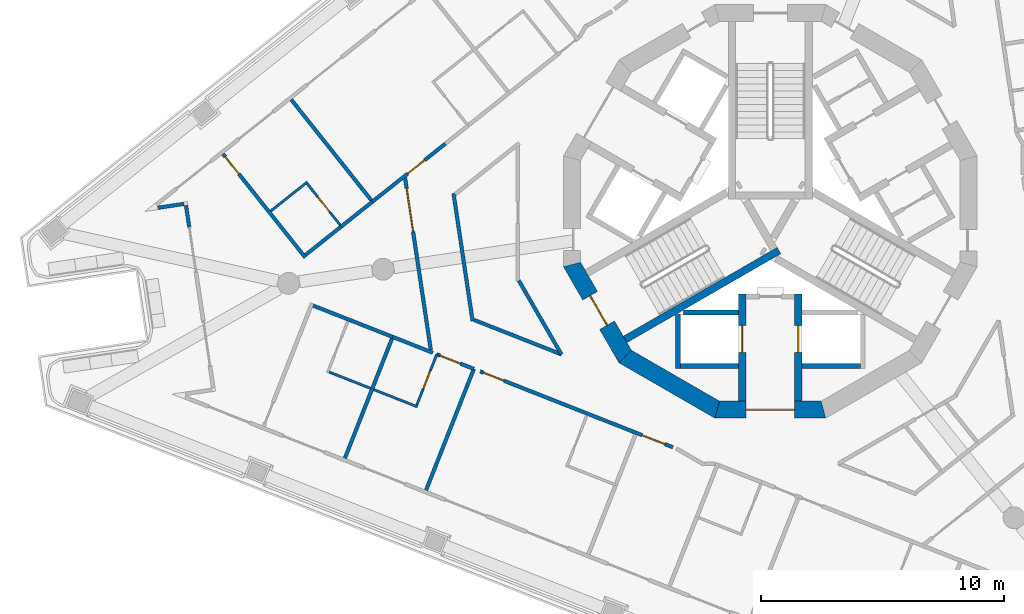
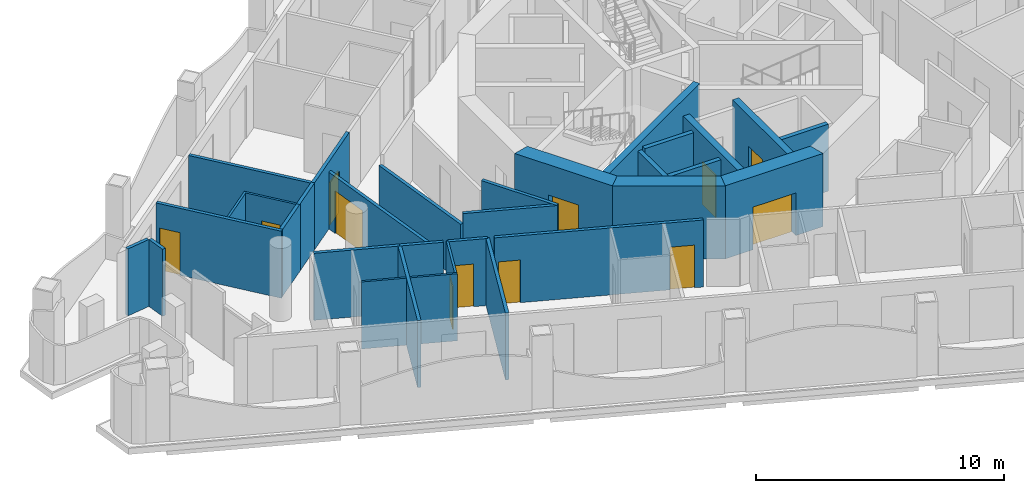
# One storey, part 3 of 17: 32 walls, 12 doors, 12 openings.
"""IFC4 building model written with IfcOpenShell, lengths in metres."""

from ifc_helpers import new_model, si_unit, direction, frame, frame_2d, origin, place, context, subcontext, project, spatial, polyline, rectangle, outline, extrude, material, layer, layer_set, type_object, element, fill, save


model = new_model("IFC4")

# Units and contexts
model_context = context("Model", 3, precision=1e-05, world=origin(), true_north=direction((0.0, 1.0)))
body_context = subcontext(model_context, "Body", "Model", "MODEL_VIEW")
ifc_project = project(units=[si_unit("LENGTHUNIT", "METRE"), si_unit("AREAUNIT", "SQUARE_METRE"), si_unit("VOLUMEUNIT", "CUBIC_METRE"), si_unit("PLANEANGLEUNIT", "RADIAN"), si_unit("MASSUNIT", "GRAM", prefix="KILO")], contexts=[model_context])

# Site, building, storey
site_placement = place(None, origin())
site = spatial("IfcSite", under=ifc_project, at=site_placement, CompositionType="ELEMENT")
building_placement = place(site_placement, origin())
building = spatial("IfcBuilding", under=site, at=building_placement, Name="Trine Commons Tower", CompositionType="ELEMENT")
storey_placement = place(building_placement, frame((0.0, 0.0, 212.39990234375)))
storey = spatial("IfcBuildingStorey", under=building, at=storey_placement, Name="L55", CompositionType="ELEMENT", Elevation=212.39990234375)

# Walls
ifc_material_1 = material(Name="Aluminium-framed insulated wall panel", Category="aluminium")
ifc_layer_1 = layer(ifc_material_1, 0.14990234375)
ifc_layer_set_1 = layer_set([ifc_layer_1], Name="Aluminium-framed insulated wall panel")
wall_type_1 = type_object("IfcWallType", Name="Glazed frame wall 150, EI 60", PredefinedType="SOLIDWALL", material=ifc_layer_set_1)
wall_1_placement = place(storey_placement, frame((56.115966796875, 61.86279296875, 0.0), z_axis=(0.0, 0.0, 1.0), x_axis=(-0.147946480694, 0.988995368468, 0.0)))
element("IfcWall", 1, at=wall_1_placement, inside=storey, type_object=wall_type_1, Name="Glazed frame wall P3.5", PredefinedType="SOLIDWALL", context=body_context, shape_type="SweptSolid", body=[
    extrude(outline(polyline([(0.889892578125, 0.074951171875), (0.0, 0.074951171875), (0.0, -0.074951171875), (0.889892578125, -0.074951171875), (0.889892578125, 0.074951171875)])), origin(), (0.0, 0.0, 1.0), 3.300048828125),
])
wall_2_placement = place(storey_placement, frame((56.0078125, 62.822265625, 0.0), z_axis=(0.0, 0.0, 1.0), x_axis=(-0.98902141065, -0.147772288596, 0.0)))
element("IfcWall", 2, at=wall_2_placement, inside=storey, type_object=wall_type_1, Name="Glazed frame wall R12", PredefinedType="SOLIDWALL", context=body_context, shape_type="SweptSolid", body=[
    extrude(outline(polyline([(0.110107421875, 0.074951171875), (0.110107421875, -0.074951171875), (1.19580078125, -0.074951171875), (1.19580078125, 0.074951171875), (0.110107421875, 0.074951171875)])), origin(), (0.0, 0.0, 1.0), 3.300048828125),
])

# Wall, opening, door
ifc_material_2 = material(Name="Concrete C60/75", Category="concrete")
ifc_layer_2 = layer(ifc_material_2, 0.300048828125)
ifc_layer_set_2 = layer_set([ifc_layer_2], Name="Concrete C60/75")
wall_type_2 = type_object("IfcWallType", Name="RC shear wall 300 mm, C60/75", PredefinedType="SHEAR", material=ifc_layer_set_2)
wall_3_placement = place(storey_placement, frame((78.85009765625, 59.10009765625, 0.0), z_axis=(0.0, 0.0, 1.0), x_axis=(0.0, -1.0, 0.0)))
wall_3 = element("IfcWall", 3, at=wall_3_placement, inside=storey, type_object=wall_type_2, Name="Core cross wall SWC-03 L55", PredefinedType="SHEAR", context=body_context, shape_type="SweptSolid", body=[
    extrude(rectangle(XDim=4.400146484375, YDim=0.300048828125, at=frame_2d((2.2001953125, 0.0))), origin(), (0.0, 0.0, 1.0), 3.60009765625),
])
opening_1_placement = place(wall_3_placement, frame((1.300048828125, 0.0, 0.0)))
opening_1 = element("IfcOpeningElement", 4, at=opening_1_placement, cuts=wall_3, Name="Opening LD10", PredefinedType="OPENING", context=body_context, shape_type="SweptSolid", body=[
    extrude(rectangle(XDim=1.10009765625, YDim=2.10009765625, at=frame_2d((0.550048828125, 1.050048828125))), frame((0.0, 0.159912109375, 0.0), z_axis=(0.0, -1.0, 0.0), x_axis=(1.0, 0.0, 0.0)), (0.0, 0.0, 1.0), 0.320068359375),
])
ifc_material_3 = material(Name="Stainless steel sliding door leaves", Category="steel")
door_type_1 = type_object("IfcDoorType", Name="Lift landing door, centre-opening sliding 1100 x 2100, FD90", OperationType="DOUBLE_DOOR_SLIDING", PredefinedType="DOOR", material=ifc_material_3)
door_1_placement = place(opening_1_placement, origin())
door_1 = element("IfcDoor", 5, at=door_1_placement, inside=storey, type_object=door_type_1, Name="Lift landing door FF2 L55", OperationType="DOUBLE_DOOR_SLIDING", OverallHeight=2.10009765625, OverallWidth=1.10009765625, PredefinedType="DOOR", context=body_context, shape_type="SweptSolid", body=[
    extrude(rectangle(XDim=1.10009765625, YDim=2.10009765625, at=frame_2d((0.550048828125, 1.050048828125))), frame((0.0, 0.02490234375, 0.0), z_axis=(0.0, -1.0, 0.0), x_axis=(1.0, 0.0, 0.0)), (0.0, 0.0, 1.0), 0.050048828125),
])
fill(opening_1, door_1)

wall_4_placement = place(storey_placement, frame((81.14990234375, 59.10009765625, 0.0), z_axis=(0.0, 0.0, 1.0), x_axis=(0.0, -1.0, 0.0)))
wall_4 = element("IfcWall", 6, at=wall_4_placement, inside=storey, type_object=wall_type_2, Name="Core cross wall SWC-04 L55", PredefinedType="SHEAR", context=body_context, shape_type="SweptSolid", body=[
    extrude(rectangle(XDim=4.400146484375, YDim=0.300048828125, at=frame_2d((2.2001953125, 0.0))), origin(), (0.0, 0.0, 1.0), 3.60009765625),
])
opening_2_placement = place(wall_4_placement, frame((1.300048828125, 0.0, 0.0)))
opening_2 = element("IfcOpeningElement", 7, at=opening_2_placement, cuts=wall_4, Name="Opening LD9", PredefinedType="OPENING", context=body_context, shape_type="SweptSolid", body=[
    extrude(rectangle(XDim=1.10009765625, YDim=2.10009765625, at=frame_2d((0.550048828125, 1.050048828125))), frame((0.0, 0.159912109375, 0.0), z_axis=(0.0, -1.0, 0.0), x_axis=(1.0, 0.0, 0.0)), (0.0, 0.0, 1.0), 0.320068359375),
])
door_2_placement = place(opening_2_placement, origin())
door_2 = element("IfcDoor", 8, at=door_2_placement, inside=storey, type_object=door_type_1, Name="Lift landing door FF1 L55", OperationType="DOUBLE_DOOR_SLIDING", OverallHeight=2.10009765625, OverallWidth=1.10009765625, PredefinedType="DOOR", context=body_context, shape_type="SweptSolid", body=[
    extrude(rectangle(XDim=1.10009765625, YDim=2.10009765625, at=frame_2d((0.550048828125, 1.050048828125))), frame((0.0, 0.02490234375, 0.0), z_axis=(0.0, -1.0, 0.0), x_axis=(1.0, 0.0, 0.0)), (0.0, 0.0, 1.0), 0.050048828125),
])
fill(opening_2, door_2)

# Wall
wall_5_placement = place(storey_placement, frame((80.35400390625, 60.885986328125, 0.0), z_axis=(0.0, 0.0, 1.0), x_axis=(-0.866032430508, -0.49998782916, 0.0)))
element("IfcWall", 9, at=wall_5_placement, inside=storey, type_object=wall_type_2, Name="Core cross wall SWC-14 L55", PredefinedType="SHEAR", context=body_context, shape_type="SweptSolid", body=[
    extrude(rectangle(XDim=7.300048828125, YDim=0.300048828125, at=frame_2d((3.64990234375, 0.0))), origin(), (0.0, 0.0, 1.0), 3.60009765625),
])

# Wall, opening, door
ifc_layer_3 = layer(ifc_material_2, 0.699951171875)
ifc_layer_set_3 = layer_set([ifc_layer_3], Name="Concrete C60/75")
wall_type_3 = type_object("IfcWallType", Name="RC shear wall 700 mm, C60/75", PredefinedType="SHEAR", material=ifc_layer_set_3)
wall_6_placement = place(storey_placement, frame((71.802978515625, 60.3974609375, 0.0), z_axis=(0.0, 0.0, 1.0), x_axis=(0.499983800959, -0.866034756103, 0.0)))
wall_6 = element("IfcWall", 10, at=wall_6_placement, inside=storey, type_object=wall_type_3, Name="Core wall CWF-08 L55", PredefinedType="SHEAR", context=body_context, shape_type="SweptSolid", body=[
    extrude(outline(polyline([(0.0, -0.35009765625), (4.55517578125, -0.35009765625), (4.36767578125, 0.35009765625), (0.1875, 0.35009765625), (0.0, -0.35009765625)])), origin(), (0.0, 0.0, 1.0), 3.60009765625),
])
opening_3_placement = place(wall_6_placement, frame((1.577392578125, 0.0, 0.0)))
opening_3 = element("IfcOpeningElement", 11, at=opening_3_placement, cuts=wall_6, Name="Opening K15.02", PredefinedType="OPENING", context=body_context, shape_type="SweptSolid", body=[
    extrude(rectangle(XDim=1.39990234375, YDim=2.10009765625, at=frame_2d((0.699951171875, 1.050048828125))), frame((0.0, 0.35986328125, 0.0), z_axis=(0.0, -1.0, 0.0), x_axis=(1.0, 0.0, 0.0)), (0.0, 0.0, 1.0), 0.719970703125),
])
ifc_material_4 = material(Name="Steel door leaves, fire-rated", Category="steel")
door_type_2 = type_object("IfcDoorType", Name="Stair door, double leaf 1400 x 2100, FD90", OperationType="DOUBLE_DOOR_SINGLE_SWING", PredefinedType="DOOR", material=ifc_material_4)
door_3_placement = place(opening_3_placement, origin())
door_3 = element("IfcDoor", 12, at=door_3_placement, inside=storey, type_object=door_type_2, Name="Stair door to Exit stair ST2C L55", OperationType="DOUBLE_DOOR_SINGLE_SWING", OverallHeight=2.10009765625, OverallWidth=1.39990234375, PredefinedType="DOOR", context=body_context, shape_type="SweptSolid", body=[
    extrude(rectangle(XDim=1.39990234375, YDim=2.10009765625, at=frame_2d((0.699951171875, 1.050048828125))), frame((0.0, 0.02490234375, 0.0), z_axis=(0.0, -1.0, 0.0), x_axis=(1.0, 0.0, 0.0)), (0.0, 0.0, 1.0), 0.050048828125),
])
fill(opening_3, door_3)

# Wall
wall_7_placement = place(storey_placement, frame((73.952392578125, 56.58056640625, 0.0), z_axis=(0.0, 0.0, 1.0), x_axis=(0.866034756103, -0.499983800959, 0.0)))
element("IfcWall", 13, at=wall_7_placement, inside=storey, type_object=wall_type_3, Name="Core wall CWF-09 L55", PredefinedType="SHEAR", context=body_context, shape_type="SweptSolid", body=[
    extrude(outline(polyline([(0.0, -0.35009765625), (4.55517578125, -0.35009765625), (4.36767578125, 0.35009765625), (0.1875, 0.35009765625), (0.0, -0.35009765625)])), origin(), (0.0, 0.0, 1.0), 3.60009765625),
])

# Wall, opening, door
wall_8_placement = place(storey_placement, frame((77.722412109375, 54.349853515625, 0.0), z_axis=(0.0, 0.0, 1.0), x_axis=(1.0, 0.0, 0.0)))
wall_8 = element("IfcWall", 14, at=wall_8_placement, inside=storey, type_object=wall_type_3, Name="Core wall CWF-10 L55", PredefinedType="SHEAR", context=body_context, shape_type="SweptSolid", body=[
    extrude(outline(polyline([(0.0, -0.35009765625), (4.55517578125, -0.35009765625), (4.36767578125, 0.35009765625), (0.1875, 0.35009765625), (0.0, -0.35009765625)])), origin(), (0.0, 0.0, 1.0), 3.60009765625),
])
opening_4_placement = place(wall_8_placement, frame((1.277587890625, 0.0, 0.0)))
opening_4 = element("IfcOpeningElement", 15, at=opening_4_placement, cuts=wall_8, Name="Opening K15.08", PredefinedType="OPENING", context=body_context, shape_type="SweptSolid", body=[
    extrude(rectangle(XDim=2.0, YDim=2.10009765625, at=frame_2d((1.0, 1.050048828125))), frame((0.0, 0.35986328125, 0.0), z_axis=(0.0, -1.0, 0.0), x_axis=(1.0, 0.0, 0.0)), (0.0, 0.0, 1.0), 0.719970703125),
])
door_type_3 = type_object("IfcDoorType", Name="Lobby door, double leaf 2000 x 2100, FD60", OperationType="DOUBLE_DOOR_SINGLE_SWING", PredefinedType="DOOR", material=ifc_material_4)
door_4_placement = place(opening_4_placement, origin())
door_4 = element("IfcDoor", 16, at=door_4_placement, inside=storey, type_object=door_type_3, Name="Lobby door, Service and firefighting lobby L55", OperationType="DOUBLE_DOOR_SINGLE_SWING", OverallHeight=2.10009765625, OverallWidth=2.0, PredefinedType="DOOR", context=body_context, shape_type="SweptSolid", body=[
    extrude(rectangle(XDim=2.0, YDim=2.10009765625, at=frame_2d((1.0, 1.050048828125))), frame((0.0, 0.02490234375, 0.0), z_axis=(0.0, -1.0, 0.0), x_axis=(1.0, 0.0, 0.0)), (0.0, 0.0, 1.0), 0.050048828125),
])
fill(opening_4, door_4)

# Walls
ifc_material_5 = material(Name="Fire-rated gypsum shaft wall system")
ifc_layer_4 = layer(ifc_material_5, 0.199951171875)
ifc_layer_set_4 = layer_set([ifc_layer_4], Name="Fire-rated gypsum shaft wall system")
wall_type_4 = type_object("IfcWallType", Name="Shaft wall 200 mm, EI 120", PredefinedType="PARTITIONING", material=ifc_layer_set_4)
wall_9_placement = place(storey_placement, frame((76.199951171875, 58.257080078125, 0.0), z_axis=(0.0, 0.0, 1.0), x_axis=(0.0, -1.0, 0.0)))
element("IfcWall", 17, at=wall_9_placement, inside=storey, type_object=wall_type_4, Name="Shaft wall L55", PredefinedType="PARTITIONING", context=body_context, shape_type="SweptSolid", body=[
    extrude(rectangle(XDim=2.20703125, YDim=0.199951171875, at=frame_2d((1.103515625, 0.0))), origin(), (0.0, 0.0, 1.0), 3.300048828125),
])
wall_10_placement = place(storey_placement, frame((78.699951171875, 56.14990234375, 0.0), z_axis=(0.0, 0.0, 1.0), x_axis=(-1.0, 0.0, 0.0)))
element("IfcWall", 18, at=wall_10_placement, inside=storey, type_object=wall_type_4, Name="Shaft wall L55", PredefinedType="PARTITIONING", context=body_context, shape_type="SweptSolid", body=[
    extrude(rectangle(XDim=2.39990234375, YDim=0.199951171875, at=frame_2d((1.199951171875, 0.0))), origin(), (0.0, 0.0, 1.0), 3.300048828125),
])
wall_11_placement = place(storey_placement, frame((78.699951171875, 58.35009765625, 0.0), z_axis=(0.0, 0.0, 1.0), x_axis=(-1.0, 0.0, 0.0)))
element("IfcWall", 19, at=wall_11_placement, inside=storey, type_object=wall_type_4, Name="Shaft wall L55", PredefinedType="PARTITIONING", context=body_context, shape_type="SweptSolid", body=[
    extrude(rectangle(XDim=2.264892578125, YDim=0.199951171875, at=frame_2d((1.13232421875, 0.0))), origin(), (0.0, 0.0, 1.0), 3.300048828125),
])
wall_12_placement = place(storey_placement, frame((81.300048828125, 56.14990234375, 0.0), z_axis=(0.0, 0.0, 1.0), x_axis=(1.0, 0.0, 0.0)))
element("IfcWall", 20, at=wall_12_placement, inside=storey, type_object=wall_type_4, Name="Shaft wall L55", PredefinedType="PARTITIONING", context=body_context, shape_type="SweptSolid", body=[
    extrude(rectangle(XDim=2.39990234375, YDim=0.199951171875, at=frame_2d((1.199951171875, 0.0))), origin(), (0.0, 0.0, 1.0), 3.300048828125),
])

# Wall, opening, door
ifc_material_6 = material(Name="Gypsum plasterboard on steel stud", Category="steel")
ifc_layer_5 = layer(ifc_material_6, 0.14990234375)
ifc_layer_set_5 = layer_set([ifc_layer_5], Name="Gypsum plasterboard on steel stud")
wall_type_5 = type_object("IfcWallType", Name="Unit and corridor wall 150 mm, EI 60", PredefinedType="PARTITIONING", material=ifc_layer_set_5)
wall_13_placement = place(storey_placement, frame((57.50390625, 64.858642578125, 0.0), z_axis=(0.0, 0.0, 1.0), x_axis=(0.622567332104, -0.782566238089, 0.0)))
wall_13 = element("IfcWall", 21, at=wall_13_placement, inside=storey, type_object=wall_type_5, Name="Partition 001", PredefinedType="PARTITIONING", context=body_context, shape_type="SweptSolid", body=[
    extrude(rectangle(XDim=5.435302734375, YDim=0.14990234375, at=frame_2d((2.7177734375, 0.0))), origin(), (0.0, 0.0, 1.0), 3.300048828125),
])
opening_5_placement = place(wall_13_placement, frame((0.14990234375, 0.0, 0.0)))
opening_5 = element("IfcOpeningElement", 22, at=opening_5_placement, cuts=wall_13, Name="Opening D-6B05", PredefinedType="OPENING", context=body_context, shape_type="SweptSolid", body=[
    extrude(rectangle(XDim=0.89990234375, YDim=2.10009765625, at=frame_2d((0.449951171875, 1.050048828125))), frame((0.0, 0.0849609375, 0.0), z_axis=(0.0, -1.0, 0.0), x_axis=(1.0, 0.0, 0.0)), (0.0, 0.0, 1.0), 0.169921875),
])
ifc_material_7 = material(Name="Timber fire door set", Category="wood")
door_type_4 = type_object("IfcDoorType", Name="Bedroom door 900 x 2100, FD30S", OperationType="NOTDEFINED", PredefinedType="DOOR", material=ifc_material_7)
door_5_placement = place(opening_5_placement, origin())
door_5 = element("IfcDoor", 23, at=door_5_placement, inside=storey, type_object=door_type_4, Name="Door D-6B05", OperationType="SINGLE_SWING_LEFT", OverallHeight=2.10009765625, OverallWidth=0.89990234375, PredefinedType="DOOR", context=body_context, shape_type="SweptSolid", body=[
    extrude(rectangle(XDim=0.89990234375, YDim=2.10009765625, at=frame_2d((0.449951171875, 1.050048828125))), frame((0.0, 0.02490234375, 0.0), z_axis=(0.0, -1.0, 0.0), x_axis=(1.0, 0.0, 0.0)), (0.0, 0.0, 1.0), 0.050048828125),
])
fill(opening_5, door_5)

# Walls
wall_14_placement = place(storey_placement, frame((60.309814453125, 67.091796875, 0.0), z_axis=(0.0, 0.0, 1.0), x_axis=(0.622585933561, -0.782551439416, 0.0)))
element("IfcWall", 24, at=wall_14_placement, inside=storey, type_object=wall_type_5, Name="Partition 004", PredefinedType="PARTITIONING", context=body_context, shape_type="SweptSolid", body=[
    extrude(rectangle(XDim=5.28515625, YDim=0.14990234375, at=frame_2d((2.642578125, 0.0))), origin(), (0.0, 0.0, 1.0), 3.300048828125),
])
wall_15_placement = place(storey_placement, frame((60.899658203125, 60.710693359375, 0.0), z_axis=(0.0, 0.0, 1.0), x_axis=(0.782680939845, 0.622423124894, 0.0)))
element("IfcWall", 25, at=wall_15_placement, inside=storey, type_object=wall_type_5, Name="Partition 005", PredefinedType="PARTITIONING", context=body_context, shape_type="SweptSolid", body=[
    extrude(rectangle(XDim=1.9287109375, YDim=0.14990234375, at=frame_2d((0.96435546875, 0.0))), origin(), (0.0, 0.0, 1.0), 3.300048828125),
])
wall_16_placement = place(storey_placement, frame((61.210693359375, 58.62646484375, 0.0), z_axis=(0.0, 0.0, 1.0), x_axis=(0.930481659578, -0.36633847899, 0.0)))
element("IfcWall", 26, at=wall_16_placement, inside=storey, type_object=wall_type_5, Name="Partition 007", PredefinedType="PARTITIONING", context=body_context, shape_type="SweptSolid", body=[
    extrude(rectangle(XDim=3.511474609375, YDim=0.14990234375, at=frame_2d((1.755859375, 0.0))), origin(), (0.0, 0.0, 1.0), 3.300048828125),
])
wall_17_placement = place(storey_placement, frame((62.364013671875, 61.8759765625, 0.0), z_axis=(0.0, 0.0, 1.0), x_axis=(0.782464195165, 0.622695578341, 0.0)))
element("IfcWall", 27, at=wall_17_placement, inside=storey, type_object=wall_type_5, Name="Partition 010", PredefinedType="PARTITIONING", context=body_context, shape_type="SweptSolid", body=[
    extrude(rectangle(XDim=1.6396484375, YDim=0.14990234375, at=frame_2d((0.81982421875, 0.0))), origin(), (0.0, 0.0, 1.0), 3.300048828125),
])
wall_18_placement = place(storey_placement, frame((62.513671875, 52.352294921875, 0.0), z_axis=(0.0, 0.0, 1.0), x_axis=(0.366423948711, 0.930448004894, 0.0)))
element("IfcWall", 28, at=wall_18_placement, inside=storey, type_object=wall_type_5, Name="Partition 011", PredefinedType="PARTITIONING", context=body_context, shape_type="SweptSolid", body=[
    extrude(rectangle(XDim=5.28564453125, YDim=0.14990234375, at=frame_2d((2.642822265625, 0.0))), origin(), (0.0, 0.0, 1.0), 3.300048828125),
])

# Wall, opening, door
wall_19_placement = place(storey_placement, frame((63.64697265625, 62.89697265625, 0.0), z_axis=(0.0, 0.0, 1.0), x_axis=(0.78262647409, 0.622491608018, 0.0)))
wall_19 = element("IfcWall", 29, at=wall_19_placement, inside=storey, type_object=wall_type_5, Name="Partition 013", PredefinedType="PARTITIONING", context=body_context, shape_type="SweptSolid", body=[
    extrude(rectangle(XDim=3.828369140625, YDim=0.14990234375, at=frame_2d((1.9140625, 0.0))), origin(), (0.0, 0.0, 1.0), 3.300048828125),
])
opening_6_placement = place(wall_19_placement, frame((1.847900390625, 0.0, 0.0)))
opening_6 = element("IfcOpeningElement", 30, at=opening_6_placement, cuts=wall_19, Name="Opening D-6B06", PredefinedType="OPENING", context=body_context, shape_type="SweptSolid", body=[
    extrude(rectangle(XDim=0.89990234375, YDim=2.10009765625, at=frame_2d((0.449951171875, 1.050048828125))), frame((0.0, 0.0849609375, 0.0), z_axis=(0.0, -1.0, 0.0), x_axis=(1.0, 0.0, 0.0)), (0.0, 0.0, 1.0), 0.169921875),
])
door_6_placement = place(opening_6_placement, origin())
door_6 = element("IfcDoor", 31, at=door_6_placement, inside=storey, type_object=door_type_4, Name="Door D-6B06", OperationType="SINGLE_SWING_RIGHT", OverallHeight=2.10009765625, OverallWidth=0.89990234375, PredefinedType="DOOR", context=body_context, shape_type="SweptSolid", body=[
    extrude(rectangle(XDim=0.89990234375, YDim=2.10009765625, at=frame_2d((0.449951171875, 1.050048828125))), frame((0.0, 0.02490234375, 0.0), z_axis=(0.0, -1.0, 0.0), x_axis=(1.0, 0.0, 0.0)), (0.0, 0.0, 1.0), 0.050048828125),
])
fill(opening_6, door_6)

# Wall
wall_20_placement = place(storey_placement, frame((64.47802734375, 57.340087890625, 0.0), z_axis=(0.0, 0.0, 1.0), x_axis=(0.930260356215, -0.366900081295, 0.0)))
element("IfcWall", 32, at=wall_20_placement, inside=storey, type_object=wall_type_5, Name="Partition 014", PredefinedType="PARTITIONING", context=body_context, shape_type="SweptSolid", body=[
    extrude(rectangle(XDim=1.7734375, YDim=0.14990234375, at=frame_2d((0.88671875, 0.0))), origin(), (0.0, 0.0, 1.0), 3.300048828125),
])

# Wall, opening, door
wall_21_placement = place(storey_placement, frame((64.987060546875, 63.8798828125, 0.0), z_axis=(0.0, 0.0, 1.0), x_axis=(0.147865724858, -0.98900744558, 0.0)))
wall_21 = element("IfcWall", 33, at=wall_21_placement, inside=storey, type_object=wall_type_5, Name="Partition 015", PredefinedType="PARTITIONING", context=body_context, shape_type="SweptSolid", body=[
    extrude(rectangle(XDim=7.16748046875, YDim=0.14990234375, at=frame_2d((3.583740234375, 0.0))), origin(), (0.0, 0.0, 1.0), 2.800048828125),
])
opening_7_placement = place(wall_21_placement, frame((0.44677734375, 0.0, 0.0)))
opening_7 = element("IfcOpeningElement", 34, at=opening_7_placement, cuts=wall_21, Name="Opening D-6B03", PredefinedType="OPENING", context=body_context, shape_type="SweptSolid", body=[
    extrude(rectangle(XDim=1.800048828125, YDim=2.10009765625, at=frame_2d((0.89990234375, 1.050048828125))), frame((0.0, 0.0849609375, 0.0), z_axis=(0.0, -1.0, 0.0), x_axis=(1.0, 0.0, 0.0)), (0.0, 0.0, 1.0), 0.169921875),
])
door_type_5 = type_object("IfcDoorType", Name="Cluster entrance door 1800 x 2100, double leaf, FD30S", OperationType="DOUBLE_DOOR_DOUBLE_SWING", PredefinedType="DOOR", material=ifc_material_7)
door_7_placement = place(opening_7_placement, frame((1.800048828125, 0.0, 0.0), z_axis=(0.0, 0.0, 1.0), x_axis=(-1.0, 0.0, 0.0)))
door_7 = element("IfcDoor", 35, at=door_7_placement, inside=storey, type_object=door_type_5, Name="Door D-6B03", OperationType="DOUBLE_DOOR_DOUBLE_SWING", OverallHeight=2.10009765625, OverallWidth=1.800048828125, PredefinedType="DOOR", context=body_context, shape_type="SweptSolid", body=[
    extrude(rectangle(XDim=1.800048828125, YDim=2.10009765625, at=frame_2d((0.89990234375, 1.050048828125))), frame((0.0, 0.02490234375, 0.0), z_axis=(0.0, -1.0, 0.0), x_axis=(1.0, 0.0, 0.0)), (0.0, 0.0, 1.0), 0.050048828125),
])
fill(opening_7, door_7)

# Wall
wall_22_placement = place(storey_placement, frame((65.849609375, 51.0380859375, 0.0), z_axis=(0.0, 0.0, 1.0), x_axis=(0.366500620458, 0.930417806796, 0.0)))
element("IfcWall", 36, at=wall_22_placement, inside=storey, type_object=wall_type_5, Name="Partition 018", PredefinedType="PARTITIONING", context=body_context, shape_type="SweptSolid", body=[
    extrude(rectangle(XDim=5.35986328125, YDim=0.14990234375, at=frame_2d((2.679931640625, 0.0))), origin(), (0.0, 0.0, 1.0), 3.300048828125),
])

# Wall, opening, door
wall_23_placement = place(storey_placement, frame((66.2880859375, 56.6259765625, 0.0), z_axis=(0.0, 0.0, 1.0), x_axis=(0.930551023018, -0.366162250321, 0.0)))
wall_23 = element("IfcWall", 37, at=wall_23_placement, inside=storey, type_object=wall_type_5, Name="Partition 022", PredefinedType="PARTITIONING", context=body_context, shape_type="SweptSolid", body=[
    extrude(rectangle(XDim=1.644287109375, YDim=0.14990234375, at=frame_2d((0.822265625, 0.0))), origin(), (0.0, 0.0, 1.0), 3.300048828125),
])
opening_8_placement = place(wall_23_placement, frame((0.154052734375, 0.0, 0.0)))
opening_8 = element("IfcOpeningElement", 38, at=opening_8_placement, cuts=wall_23, Name="Opening D-6B26", PredefinedType="OPENING", context=body_context, shape_type="SweptSolid", body=[
    extrude(rectangle(XDim=0.89990234375, YDim=2.10009765625, at=frame_2d((0.449951171875, 1.050048828125))), frame((0.0, 0.0849609375, 0.0), z_axis=(0.0, -1.0, 0.0), x_axis=(1.0, 0.0, 0.0)), (0.0, 0.0, 1.0), 0.169921875),
])
door_8_placement = place(opening_8_placement, frame((0.89990234375, 0.0, 0.0), z_axis=(0.0, 0.0, 1.0), x_axis=(-1.0, 0.0, 0.0)))
door_8 = element("IfcDoor", 39, at=door_8_placement, inside=storey, type_object=door_type_4, Name="Door D-6B26", OperationType="SINGLE_SWING_RIGHT", OverallHeight=2.10009765625, OverallWidth=0.89990234375, PredefinedType="DOOR", context=body_context, shape_type="SweptSolid", body=[
    extrude(rectangle(XDim=0.89990234375, YDim=2.10009765625, at=frame_2d((0.449951171875, 1.050048828125))), frame((0.0, 0.02490234375, 0.0), z_axis=(0.0, -1.0, 0.0), x_axis=(1.0, 0.0, 0.0)), (0.0, 0.0, 1.0), 0.050048828125),
])
fill(opening_8, door_8)

# Walls
wall_24_placement = place(storey_placement, frame((66.97998046875, 63.234130859375, 0.0), z_axis=(0.0, 0.0, 1.0), x_axis=(0.14773017043, -0.989027702719, 0.0)))
element("IfcWall", 40, at=wall_24_placement, inside=storey, type_object=wall_type_5, Name="Partition 024", PredefinedType="PARTITIONING", context=body_context, shape_type="SweptSolid", body=[
    extrude(rectangle(XDim=5.301513671875, YDim=0.14990234375, at=frame_2d((2.65087890625, 0.0))), origin(), (0.0, 0.0, 1.0), 2.800048828125),
])
wall_25_placement = place(storey_placement, frame((67.82177734375, 58.03759765625, 0.0), z_axis=(0.0, 0.0, 1.0), x_axis=(0.930426693307, -0.366478059892, 0.0)))
element("IfcWall", 41, at=wall_25_placement, inside=storey, type_object=wall_type_5, Name="Partition 027", PredefinedType="PARTITIONING", context=body_context, shape_type="SweptSolid", body=[
    extrude(rectangle(XDim=3.85986328125, YDim=0.14990234375, at=frame_2d((1.929931640625, 0.0))), origin(), (0.0, 0.0, 1.0), 3.300048828125),
])

# Wall, openings, doors
wall_26_placement = place(storey_placement, frame((68.072021484375, 55.924072265625, 0.0), z_axis=(0.0, 0.0, 1.0), x_axis=(0.930389729542, -0.366571890852, 0.0)))
wall_26 = element("IfcWall", 42, at=wall_26_placement, inside=storey, type_object=wall_type_5, Name="Partition 029", PredefinedType="PARTITIONING", context=body_context, shape_type="SweptSolid", body=[
    extrude(rectangle(XDim=8.516845703125, YDim=0.14990234375, at=frame_2d((4.25830078125, 0.0))), origin(), (0.0, 0.0, 1.0), 3.300048828125),
])
opening_9_placement = place(wall_26_placement, frame((7.162109375, 0.0, 0.0)))
opening_9 = element("IfcOpeningElement", 43, at=opening_9_placement, cuts=wall_26, Name="Opening D-6B24", PredefinedType="OPENING", context=body_context, shape_type="SweptSolid", body=[
    extrude(rectangle(XDim=1.0, YDim=2.10009765625, at=frame_2d((0.5, 1.050048828125))), frame((0.0, 0.0849609375, 0.0), z_axis=(0.0, -1.0, 0.0), x_axis=(1.0, 0.0, 0.0)), (0.0, 0.0, 1.0), 0.169921875),
])
opening_10_placement = place(wall_26_placement, frame((0.14990234375, 0.0, 0.0)))
opening_10 = element("IfcOpeningElement", 44, at=opening_10_placement, cuts=wall_26, Name="Opening D-6B25", PredefinedType="OPENING", context=body_context, shape_type="SweptSolid", body=[
    extrude(rectangle(XDim=0.89990234375, YDim=2.10009765625, at=frame_2d((0.449951171875, 1.050048828125))), frame((0.0, 0.0849609375, 0.0), z_axis=(0.0, -1.0, 0.0), x_axis=(1.0, 0.0, 0.0)), (0.0, 0.0, 1.0), 0.169921875),
])
door_9_placement = place(opening_10_placement, frame((0.89990234375, 0.0, 0.0), z_axis=(0.0, 0.0, 1.0), x_axis=(-1.0, 0.0, 0.0)))
door_9 = element("IfcDoor", 45, at=door_9_placement, inside=storey, type_object=door_type_4, Name="Door D-6B25", OperationType="SINGLE_SWING_RIGHT", OverallHeight=2.10009765625, OverallWidth=0.89990234375, PredefinedType="DOOR", context=body_context, shape_type="SweptSolid", body=[
    extrude(rectangle(XDim=0.89990234375, YDim=2.10009765625, at=frame_2d((0.449951171875, 1.050048828125))), frame((0.0, 0.02490234375, 0.0), z_axis=(0.0, -1.0, 0.0), x_axis=(1.0, 0.0, 0.0)), (0.0, 0.0, 1.0), 0.050048828125),
])
fill(opening_10, door_9)
ifc_material_8 = material(Name="Painted timber", Category="wood")
door_type_6 = type_object("IfcDoorType", Name="Toilet door 1000 x 2100, NOT RATED", OperationType="NOTDEFINED", PredefinedType="DOOR", material=ifc_material_8)
door_10_placement = place(opening_9_placement, frame((1.0, 0.0, 0.0), z_axis=(0.0, 0.0, 1.0), x_axis=(-1.0, 0.0, 0.0)))
door_10 = element("IfcDoor", 46, at=door_10_placement, inside=storey, type_object=door_type_6, Name="Door D-6B24", OperationType="SINGLE_SWING_LEFT", OverallHeight=2.10009765625, OverallWidth=1.0, PredefinedType="DOOR", context=body_context, shape_type="SweptSolid", body=[
    extrude(rectangle(XDim=1.0, YDim=2.10009765625, at=frame_2d((0.5, 1.050048828125))), frame((0.0, 0.02490234375, 0.0), z_axis=(0.0, -1.0, 0.0), x_axis=(1.0, 0.0, 0.0)), (0.0, 0.0, 1.0), 0.050048828125),
])
fill(opening_9, door_10)

# Walls
wall_27_placement = place(storey_placement, frame((69.66259765625, 59.655029296875, 0.0), z_axis=(0.0, 0.0, 1.0), x_axis=(0.50005009493, -0.865996479531, 0.0)))
element("IfcWall", 47, at=wall_27_placement, inside=storey, type_object=wall_type_5, Name="Partition 033", PredefinedType="PARTITIONING", context=body_context, shape_type="SweptSolid", body=[
    extrude(rectangle(XDim=3.504638671875, YDim=0.14990234375, at=frame_2d((1.75244140625, 0.0))), origin(), (0.0, 0.0, 1.0), 3.300048828125),
])
ifc_layer_6 = layer(ifc_material_6, 0.10009765625)
ifc_layer_set_6 = layer_set([ifc_layer_6], Name="Gypsum plasterboard on steel stud")
wall_type_6 = type_object("IfcWallType", Name="Unit partition 100 mm, no rating", PredefinedType="PARTITIONING", material=ifc_layer_set_6)
wall_28_placement = place(storey_placement, frame((59.4677734375, 62.5107421875, 0.0), z_axis=(0.0, 0.0, 1.0), x_axis=(0.782598245326, 0.62252709693, 0.0)))
element("IfcWall", 48, at=wall_28_placement, inside=storey, type_object=wall_type_6, Name="Partition 003", PredefinedType="PARTITIONING", context=body_context, shape_type="SweptSolid", body=[
    extrude(rectangle(XDim=1.9248046875, YDim=0.10009765625, at=frame_2d((0.96240234375, 0.0))), origin(), (0.0, 0.0, 1.0), 3.300048828125),
])

# Wall, opening, door
wall_29_placement = place(storey_placement, frame((60.966064453125, 63.638916015625, 0.0), z_axis=(0.0, 0.0, 1.0), x_axis=(0.622598555727, -0.782541397248, 0.0)))
wall_29 = element("IfcWall", 49, at=wall_29_placement, inside=storey, type_object=wall_type_6, Name="Partition 006", PredefinedType="PARTITIONING", context=body_context, shape_type="SweptSolid", body=[
    extrude(rectangle(XDim=2.175048828125, YDim=0.10009765625, at=frame_2d((1.08740234375, 0.0))), origin(), (0.0, 0.0, 1.0), 3.300048828125),
])
opening_11_placement = place(wall_29_placement, frame((0.6875, 0.0, 0.0)))
opening_11 = element("IfcOpeningElement", 50, at=opening_11_placement, cuts=wall_29, Name="Opening D-6B35", PredefinedType="OPENING", context=body_context, shape_type="SweptSolid", body=[
    extrude(rectangle(XDim=0.800048828125, YDim=2.10009765625, at=frame_2d((0.39990234375, 1.050048828125))), frame((0.0, 0.06005859375, 0.0), z_axis=(0.0, -1.0, 0.0), x_axis=(1.0, 0.0, 0.0)), (0.0, 0.0, 1.0), 0.1201171875),
])
door_type_7 = type_object("IfcDoorType", Name="Internal door 800 x 2100, NOT RATED", OperationType="NOTDEFINED", PredefinedType="DOOR", material=ifc_material_8)
door_11_placement = place(opening_11_placement, origin())
door_11 = element("IfcDoor", 51, at=door_11_placement, inside=storey, type_object=door_type_7, Name="Door D-6B35", OperationType="SINGLE_SWING_LEFT", OverallHeight=2.10009765625, OverallWidth=0.800048828125, PredefinedType="DOOR", context=body_context, shape_type="SweptSolid", body=[
    extrude(rectangle(XDim=0.800048828125, YDim=2.10009765625, at=frame_2d((0.39990234375, 1.050048828125))), frame((0.0, 0.02490234375, 0.0), z_axis=(0.0, -1.0, 0.0), x_axis=(1.0, 0.0, 0.0)), (0.0, 0.0, 1.0), 0.050048828125),
])
fill(opening_11, door_11)

# Walls
wall_30_placement = place(storey_placement, frame((61.866455078125, 55.895751953125, 0.0), z_axis=(0.0, 0.0, 1.0), x_axis=(0.930592094338, -0.366057856022, 0.0)))
element("IfcWall", 52, at=wall_30_placement, inside=storey, type_object=wall_type_6, Name="Partition 009", PredefinedType="PARTITIONING", context=body_context, shape_type="SweptSolid", body=[
    extrude(rectangle(XDim=1.825439453125, YDim=0.10009765625, at=frame_2d((0.91259765625, 0.0))), origin(), (0.0, 0.0, 1.0), 3.300048828125),
])
wall_31_placement = place(storey_placement, frame((63.704833984375, 55.172607421875, 0.0), z_axis=(0.0, 0.0, 1.0), x_axis=(0.930345464998, -0.366684218038, 0.0)))
element("IfcWall", 53, at=wall_31_placement, inside=storey, type_object=wall_type_6, Name="Partition 012", PredefinedType="PARTITIONING", context=body_context, shape_type="SweptSolid", body=[
    extrude(rectangle(XDim=1.9248046875, YDim=0.10009765625, at=frame_2d((0.96240234375, 0.0))), origin(), (0.0, 0.0, 1.0), 3.300048828125),
])

# Wall, opening, door
wall_32_placement = place(storey_placement, frame((65.46728515625, 54.531494140625, 0.0), z_axis=(0.0, 0.0, 1.0), x_axis=(0.366521672129, 0.930409514063, 0.0)))
wall_32 = element("IfcWall", 54, at=wall_32_placement, inside=storey, type_object=wall_type_6, Name="Partition 017", PredefinedType="PARTITIONING", context=body_context, shape_type="SweptSolid", body=[
    extrude(rectangle(XDim=2.25, YDim=0.10009765625, at=frame_2d((1.125, 0.0))), origin(), (0.0, 0.0, 1.0), 3.300048828125),
])
opening_12_placement = place(wall_32_placement, frame((0.72509765625, 0.0, 0.0)))
opening_12 = element("IfcOpeningElement", 55, at=opening_12_placement, cuts=wall_32, Name="Opening D-6B54", PredefinedType="OPENING", context=body_context, shape_type="SweptSolid", body=[
    extrude(rectangle(XDim=0.800048828125, YDim=2.10009765625, at=frame_2d((0.39990234375, 1.050048828125))), frame((0.0, 0.06005859375, 0.0), z_axis=(0.0, -1.0, 0.0), x_axis=(1.0, 0.0, 0.0)), (0.0, 0.0, 1.0), 0.1201171875),
])
door_12_placement = place(opening_12_placement, frame((0.800048828125, 0.0, 0.0), z_axis=(0.0, 0.0, 1.0), x_axis=(-1.0, 0.0, 0.0)))
door_12 = element("IfcDoor", 56, at=door_12_placement, inside=storey, type_object=door_type_7, Name="Door D-6B54", OperationType="SINGLE_SWING_LEFT", OverallHeight=2.10009765625, OverallWidth=0.800048828125, PredefinedType="DOOR", context=body_context, shape_type="SweptSolid", body=[
    extrude(rectangle(XDim=0.800048828125, YDim=2.10009765625, at=frame_2d((0.39990234375, 1.050048828125))), frame((0.0, 0.02490234375, 0.0), z_axis=(0.0, -1.0, 0.0), x_axis=(1.0, 0.0, 0.0)), (0.0, 0.0, 1.0), 0.050048828125),
])
fill(opening_12, door_12)

save(model, "model.ifc")
